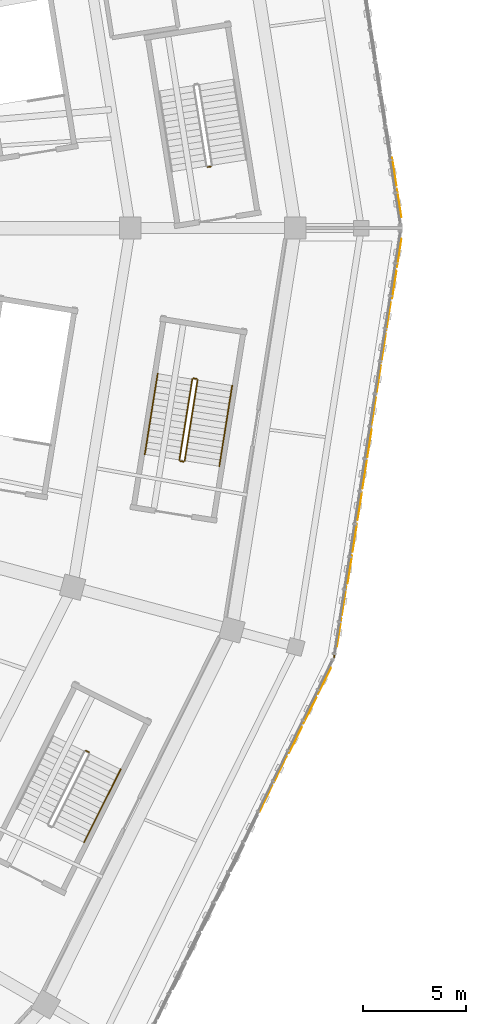
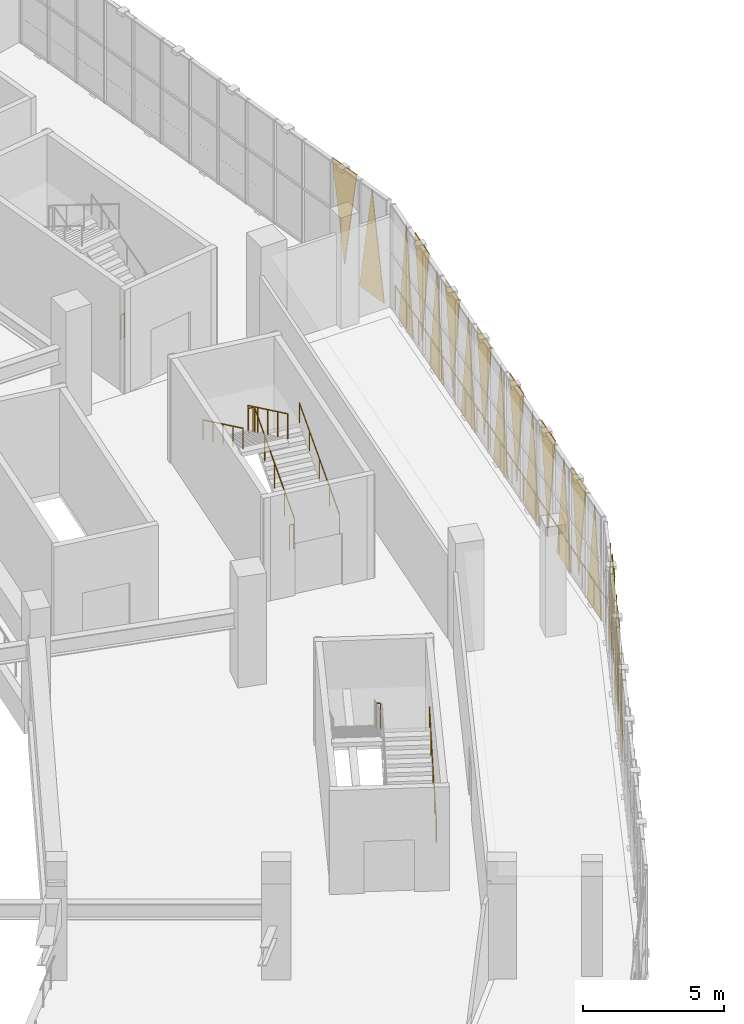
# One storey, part 154 of 179: 20 coverings, 10 railings.
"""IFC4 building model written with IfcOpenShell, lengths in metres."""

from ifc_helpers import new_model, si_unit, direction, frame, origin, origin_2d, place, context, subcontext, project, spatial, polyline, circle, outline, extrude, material, layer, layer_set, type_object, element, save


model = new_model("IFC4")

# Units and contexts
model_context = context("Model", 3, precision=1e-05, world=origin(), true_north=direction((0.0, 1.0)))
body_context = subcontext(model_context, "Body", "Model", "MODEL_VIEW")
ifc_project = project(units=[si_unit("LENGTHUNIT", "METRE"), si_unit("AREAUNIT", "SQUARE_METRE"), si_unit("VOLUMEUNIT", "CUBIC_METRE"), si_unit("PLANEANGLEUNIT", "RADIAN"), si_unit("MASSUNIT", "GRAM", prefix="KILO")], contexts=[model_context])

# Site, building, storey
site_placement = place(None, origin())
site = spatial("IfcSite", under=ifc_project, at=site_placement, CompositionType="ELEMENT")
building_placement = place(site_placement, origin())
building = spatial("IfcBuilding", under=site, at=building_placement, Name="Zevraka Park Crest Stadium", CompositionType="ELEMENT")
storey_placement = place(building_placement, frame((0.0, 0.0, 10.199951171875)))
storey = spatial("IfcBuildingStorey", under=building, at=storey_placement, Name="L02", CompositionType="ELEMENT", Elevation=10.199951171875)

# Coverings
ifc_material_1 = material(Name="Architectural golden-bronze perforated aluminium", Category="aluminium")
ifc_layer = layer(ifc_material_1, 0.034912109375)
ifc_layer_set = layer_set([ifc_layer], Name="Architectural golden-bronze perforated aluminium")
covering_type = type_object("IfcCoveringType", Name="CLD01", PredefinedType="CLADDING", material=ifc_layer_set)
covering_1_placement = place(storey_placement, frame((207.41796875, 92.52392578125, -0.239990234375), z_axis=(-0.988001996222, -0.154441050155, 0.000132241406), x_axis=(-0.154441051505, 0.988002004861, 0.0)))
element("IfcCovering", 1, at=covering_1_placement, inside=storey, type_object=covering_type, Name="Triangular Golden-Bronze Perforated Cladding L02-00-1", PredefinedType="CLADDING", context=body_context, shape_type="SweptSolid", body=[
    extrude(outline(polyline([(0.0, 0.0), (1.392686002386334, 0.0), (0.6962487378560668, -4.560058633622674), (0.0, 0.0)])), origin(), (0.0, 0.0, -1.0), 0.034912109375),
])
covering_2_placement = place(storey_placement, frame((206.964111328125, 95.43408203125, 4.47998046875), z_axis=(-0.988028733421, -0.15426992289, 0.000113247605), x_axis=(0.15426992388, -0.988028739757, 0.0)))
element("IfcCovering", 2, at=covering_2_placement, inside=storey, type_object=covering_type, Name="Triangular Golden-Bronze Perforated Cladding L02-00-2", PredefinedType="CLADDING", context=body_context, shape_type="SweptSolid", body=[
    extrude(outline(polyline([(0.0, 0.0), (1.3926483179408142, 0.0), (0.6962488318591378, -4.2600097929423555), (0.0, 0.0)])), origin(), (0.0, 0.0, -1.0), 0.034912109375),
])
covering_3_placement = place(storey_placement, frame((200.56591796875, 63.676025390625, -0.239990234375), z_axis=(0.89746809511, -0.441079372749, 7.2074213e-05), x_axis=(0.441079373894, 0.897468097441, 0.0)))
element("IfcCovering", 3, at=covering_3_placement, inside=storey, type_object=covering_type, Name="Triangular Golden-Bronze Perforated Cladding L02-22-9", PredefinedType="CLADDING", context=body_context, shape_type="SweptSolid", body=[
    extrude(outline(polyline([(0.0, 0.0), (1.4352442623555979, -6.776263578034403e-21), (0.7174606030867732, 4.56005860559405), (0.0, 0.0)])), origin(), (0.0, 0.0, -1.0), 0.034912109375),
])
covering_4_placement = place(storey_placement, frame((201.902099609375, 66.39501953125, 4.47998046875), z_axis=(0.897335593243, -0.441348860637, 0.000127726581), x_axis=(-0.441348864237, -0.897335600562, 0.0)))
element("IfcCovering", 4, at=covering_4_placement, inside=storey, type_object=covering_type, Name="Triangular Golden-Bronze Perforated Cladding L02-22-10", PredefinedType="CLADDING", context=body_context, shape_type="SweptSolid", body=[
    extrude(outline(polyline([(0.0, 0.0), (1.4343678933426742, -1.3552527156068805e-20), (0.7174604720387123, 4.26000980037407), (0.0, 0.0)])), origin(), (0.0, 0.0, -1.0), 0.034912109375),
])
covering_5_placement = place(storey_placement, frame((201.972900390625, 66.5390625, -0.239990234375), z_axis=(-0.897704327288, 0.44059838926, 1.223648e-05), x_axis=(0.440598389293, 0.897704327355, 0.0)))
element("IfcCovering", 5, at=covering_5_placement, inside=storey, type_object=covering_type, Name="Triangular Golden-Bronze Perforated Cladding L02-22-11", PredefinedType="CLADDING", context=body_context, shape_type="SweptSolid", body=[
    extrude(outline(polyline([(0.0, 0.0), (1.4345946183297689, 8.470329472543003e-22), (0.7174606761957254, -4.560058594091393), (0.0, 0.0)])), origin(), (0.0, 0.0, -1.0), 0.034912109375),
])
covering_6_placement = place(storey_placement, frame((203.30908203125, 69.258056640625, 4.47998046875), z_axis=(-0.897468090022, 0.441079370248, 0.000128584459), x_axis=(-0.441079373894, -0.897468097441, 0.0)))
element("IfcCovering", 6, at=covering_6_placement, inside=storey, type_object=covering_type, Name="Triangular Golden-Bronze Perforated Cladding L02-22-12", PredefinedType="CLADDING", context=body_context, shape_type="SweptSolid", body=[
    extrude(outline(polyline([(0.0, 0.0), (1.4352442623555979, 0.0), (0.7178913446628418, -4.260009800842423), (0.0, 0.0)])), origin(), (0.0, 0.0, -1.0), 0.034912109375),
])
covering_7_placement = place(storey_placement, frame((203.37890625, 69.402099609375, -0.239990234375), z_axis=(-0.897302423981, 0.441416274973, 0.000179183893), x_axis=(0.441416282059, 0.897302438386, 0.0)))
element("IfcCovering", 7, at=covering_7_placement, inside=storey, type_object=covering_type, Name="Triangular Golden-Bronze Perforated Cladding L02-22-13", PredefinedType="CLADDING", context=body_context, shape_type="SweptSolid", body=[
    extrude(outline(polyline([(0.0, 0.0), (1.4341488213161262, 0.0), (0.7167961598302272, -4.560058666954599), (0.0, 0.0)])), origin(), (0.0, 0.0, -1.0), 0.034912109375),
])
covering_8_placement = place(storey_placement, frame((204.327880859375, 71.68896484375, -0.239990234375), z_axis=(0.988002001751, -0.154441051019, 7.9344844e-05), x_axis=(0.154441051505, 0.988002004861, 0.0)))
element("IfcCovering", 8, at=covering_8_placement, inside=storey, type_object=covering_type, Name="Triangular Golden-Bronze Perforated Cladding L02-23-1", PredefinedType="CLADDING", context=body_context, shape_type="SweptSolid", body=[
    extrude(outline(polyline([(0.0, 0.0), (1.392686002386334, 0.0), (0.6962864431909069, 4.560058608104163), (0.0, 0.0)])), origin(), (0.0, 0.0, -1.0), 0.034912109375),
])
covering_9_placement = place(storey_placement, frame((204.781982421875, 74.59912109375, 4.47998046875), z_axis=(0.988006174558, -0.154414305444, 0.000145981007), x_axis=(-0.154414307089, -0.988006185085, 0.0)))
element("IfcCovering", 9, at=covering_9_placement, inside=storey, type_object=covering_type, Name="Triangular Golden-Bronze Perforated Cladding L02-23-2", PredefinedType="CLADDING", context=body_context, shape_type="SweptSolid", body=[
    extrude(outline(polyline([(0.0, 0.0), (1.3929272143236278, 0.0), (0.6964899663719751, 4.260009811016373), (0.0, 0.0)])), origin(), (0.0, 0.0, -1.0), 0.034912109375),
])
covering_10_placement = place(storey_placement, frame((204.806884765625, 74.757080078125, -0.239990234375), z_axis=(-0.988001996222, 0.154441050155, 0.000132241406), x_axis=(0.154441051505, 0.988002004861, 0.0)))
element("IfcCovering", 10, at=covering_10_placement, inside=storey, type_object=covering_type, Name="Triangular Golden-Bronze Perforated Cladding L02-23-3", PredefinedType="CLADDING", context=body_context, shape_type="SweptSolid", body=[
    extrude(outline(polyline([(0.0, 0.0), (1.392686002386334, 0.0), (0.6964372645302674, -4.560058633622674), (0.0, 0.0)])), origin(), (0.0, 0.0, -1.0), 0.034912109375),
])
covering_11_placement = place(storey_placement, frame((205.261962890625, 77.66796875, 4.47998046875), z_axis=(-0.988028733421, 0.15426992289, 0.000113247605), x_axis=(-0.15426992388, -0.988028739757, 0.0)))
element("IfcCovering", 11, at=covering_11_placement, inside=storey, type_object=covering_type, Name="Triangular Golden-Bronze Perforated Cladding L02-23-4", PredefinedType="CLADDING", context=body_context, shape_type="SweptSolid", body=[
    extrude(outline(polyline([(0.0, 0.0), (1.3926483179408142, 0.0), (0.6963994860816766, -4.2600097929423555), (0.0, 0.0)])), origin(), (0.0, 0.0, -1.0), 0.034912109375),
])
covering_12_placement = place(storey_placement, frame((205.285888671875, 77.825927734375, -0.239990234375), z_axis=(-0.988001996222, 0.154441050155, 0.000132241406), x_axis=(0.154441051505, 0.988002004861, 0.0)))
element("IfcCovering", 12, at=covering_12_placement, inside=storey, type_object=covering_type, Name="Triangular Golden-Bronze Perforated Cladding L02-23-5", PredefinedType="CLADDING", context=body_context, shape_type="SweptSolid", body=[
    extrude(outline(polyline([(0.0, 0.0), (1.392686002386334, 0.0), (0.6964372645302674, -4.560058633622674), (0.0, 0.0)])), origin(), (0.0, 0.0, -1.0), 0.034912109375),
])
covering_13_placement = place(storey_placement, frame((205.740966796875, 80.736083984375, 4.47998046875), z_axis=(-0.988002001298, 0.154441050948, 8.4933406e-05), x_axis=(-0.154441051505, -0.988002004861, 0.0)))
element("IfcCovering", 13, at=covering_13_placement, inside=storey, type_object=covering_type, Name="Triangular Golden-Bronze Perforated Cladding L02-23-6", PredefinedType="CLADDING", context=body_context, shape_type="SweptSolid", body=[
    extrude(outline(polyline([(0.0, 0.0), (1.392686002386334, -3.3881317890172014e-21), (0.6963995591954273, -4.260009780990182), (0.0, 0.0)])), origin(), (0.0, 0.0, -1.0), 0.034912109375),
])
covering_14_placement = place(storey_placement, frame((205.76611328125, 80.89404296875, -0.239990234375), z_axis=(-0.988151922623, 0.153478915641, 1.6434192e-05), x_axis=(0.153478915662, 0.988151922756, 0.0)))
element("IfcCovering", 14, at=covering_14_placement, inside=storey, type_object=covering_type, Name="Triangular Golden-Bronze Perforated Cladding L02-23-7", PredefinedType="CLADDING", context=body_context, shape_type="SweptSolid", body=[
    extrude(outline(polyline([(0.0, 0.0), (1.3934629820473974, 0.0), (0.6962489949676653, -4.560058594365796), (0.0, 0.0)])), origin(), (0.0, 0.0, -1.0), 0.034912109375),
])
covering_15_placement = place(storey_placement, frame((206.219970703125, 83.804931640625, 4.47998046875), z_axis=(0.988001994963, -0.154441049958, 0.000141555676), x_axis=(-0.154441051505, -0.988002004861, 0.0)))
element("IfcCovering", 15, at=covering_15_placement, inside=storey, type_object=covering_type, Name="Triangular Golden-Bronze Perforated Cladding L02-23-8", PredefinedType="CLADDING", context=body_context, shape_type="SweptSolid", body=[
    extrude(outline(polyline([(0.0, 0.0), (1.392686002386334, 0.0), (0.6962487378560668, 4.260009808306059), (0.0, 0.0)])), origin(), (0.0, 0.0, -1.0), 0.034912109375),
])
covering_16_placement = place(storey_placement, frame((206.2451171875, 83.962890625, -0.239990234375), z_axis=(0.988032905729, -0.154243206855, 0.000101667427), x_axis=(0.154243207652, 0.988032910835, 0.0)))
element("IfcCovering", 16, at=covering_16_placement, inside=storey, type_object=covering_type, Name="Triangular Golden-Bronze Perforated Cladding L02-23-9", PredefinedType="CLADDING", context=body_context, shape_type="SweptSolid", body=[
    extrude(outline(polyline([(0.0, 0.0), (1.3928895364040654, 0.0), (0.6962488446496103, 4.560058617316989), (0.0, 0.0)])), origin(), (0.0, 0.0, -1.0), 0.034912109375),
])
covering_17_placement = place(storey_placement, frame((206.698974609375, 86.873046875, 4.47998046875), z_axis=(0.988001994963, -0.154441049958, 0.000141555676), x_axis=(-0.154441051505, -0.988002004861, 0.0)))
element("IfcCovering", 17, at=covering_17_placement, inside=storey, type_object=covering_type, Name="Triangular Golden-Bronze Perforated Cladding L02-23-10", PredefinedType="CLADDING", context=body_context, shape_type="SweptSolid", body=[
    extrude(outline(polyline([(0.0, 0.0), (1.392686002386334, 0.0), (0.6962487378560668, 4.260009808306059), (0.0, 0.0)])), origin(), (0.0, 0.0, -1.0), 0.034912109375),
])
covering_18_placement = place(storey_placement, frame((206.72412109375, 87.031982421875, -0.239990234375), z_axis=(0.988028734228, -0.154269923016, 0.000105795988), x_axis=(0.15426992388, 0.988028739757, 0.0)))
element("IfcCovering", 18, at=covering_18_placement, inside=storey, type_object=covering_type, Name="Triangular Golden-Bronze Perforated Cladding L02-23-11", PredefinedType="CLADDING", context=body_context, shape_type="SweptSolid", body=[
    extrude(outline(polyline([(0.0, 0.0), (1.3926483179408142, -3.3881317890172014e-21), (0.6962488318591378, 4.560058619269892), (0.0, 0.0)])), origin(), (0.0, 0.0, -1.0), 0.034912109375),
])
covering_19_placement = place(storey_placement, frame((207.178955078125, 89.94189453125, 4.47998046875), z_axis=(-0.988028733421, 0.15426992289, 0.000113247605), x_axis=(-0.15426992388, -0.988028739757, 0.0)))
element("IfcCovering", 19, at=covering_19_placement, inside=storey, type_object=covering_type, Name="Triangular Golden-Bronze Perforated Cladding L02-23-12", PredefinedType="CLADDING", context=body_context, shape_type="SweptSolid", body=[
    extrude(outline(polyline([(0.0, 0.0), (1.3926483179408142, 0.0), (0.6963994860816766, -4.2600097929423555), (0.0, 0.0)])), origin(), (0.0, 0.0, -1.0), 0.034912109375),
])
covering_20_placement = place(storey_placement, frame((207.202880859375, 90.10009765625, -0.239990234375), z_axis=(-0.988001996222, 0.154441050155, 0.000132241406), x_axis=(0.154441051505, 0.988002004861, 0.0)))
element("IfcCovering", 20, at=covering_20_placement, inside=storey, type_object=covering_type, Name="Triangular Golden-Bronze Perforated Cladding L02-23-13", PredefinedType="CLADDING", context=body_context, shape_type="SweptSolid", body=[
    extrude(outline(polyline([(0.0, 0.0), (1.392686002386334, 0.0), (0.6964372645302674, -4.560058633622674), (0.0, 0.0)])), origin(), (0.0, 0.0, -1.0), 0.034912109375),
])

# Railings
ifc_material_2 = material(Name="Galvanised and bronze-finished steel balustrade", Category="steel")
railing_type_1 = type_object("IfcRailingType", Name="GR01", PredefinedType="GUARDRAIL", material=ifc_material_2)
railing_1_placement = place(storey_placement, frame((207.3740234375, 91.64990234375, 0.0)))
element("IfcRailing", 21, at=railing_1_placement, inside=storey, type_object=railing_type_1, Name="Deck Edge Protection Guardrail GR01 L02-22", PredefinedType="GUARDRAIL", context=body_context, shape_type="SweptSolid", body=[
    extrude(circle(Radius=0.02392578125, at=origin_2d()), frame((0.0, 0.0, 1.076171875), z_axis=(-0.154309279155, -0.988022594057, 0.0), x_axis=(0.988022594057, -0.154309279155, 0.0)), (0.0, 0.0, 1.0), 20.7119140625),
    extrude(circle(Radius=0.02099609375, at=origin_2d()), origin(), (0.0, 0.0, 1.0), 1.052001953125),
    extrude(circle(Radius=0.02099609375, at=origin_2d()), frame((-0.177490234375, -1.136962890625, 0.0)), (0.0, 0.0, 1.0), 1.052001953125),
    extrude(circle(Radius=0.02099609375, at=origin_2d()), frame((-0.355224609375, -2.273681640625, 0.0)), (0.0, 0.0, 1.0), 1.052001953125),
    extrude(circle(Radius=0.02099609375, at=origin_2d()), frame((-0.53271484375, -3.41064453125, 0.0)), (0.0, 0.0, 1.0), 1.052001953125),
    extrude(circle(Radius=0.02099609375, at=origin_2d()), frame((-0.710205078125, -4.547607421875, 0.0)), (0.0, 0.0, 1.0), 1.052001953125),
    extrude(circle(Radius=0.02099609375, at=origin_2d()), frame((-0.8876953125, -5.684326171875, 0.0)), (0.0, 0.0, 1.0), 1.052001953125),
    extrude(circle(Radius=0.02099609375, at=origin_2d()), frame((-1.0654296875, -6.8212890625, 0.0)), (0.0, 0.0, 1.0), 1.052001953125),
    extrude(circle(Radius=0.02099609375, at=origin_2d()), frame((-1.242919921875, -7.958251953125, 0.0)), (0.0, 0.0, 1.0), 1.052001953125),
    extrude(circle(Radius=0.02099609375, at=origin_2d()), frame((-1.42041015625, -9.094970703125, 0.0)), (0.0, 0.0, 1.0), 1.052001953125),
    extrude(circle(Radius=0.02099609375, at=origin_2d()), frame((-1.59814453125, -10.23193359375, 0.0)), (0.0, 0.0, 1.0), 1.052001953125),
    extrude(circle(Radius=0.02099609375, at=origin_2d()), frame((-1.775634765625, -11.368896484375, 0.0)), (0.0, 0.0, 1.0), 1.052001953125),
    extrude(circle(Radius=0.02099609375, at=origin_2d()), frame((-1.953125, -12.505615234375, 0.0)), (0.0, 0.0, 1.0), 1.052001953125),
    extrude(circle(Radius=0.02099609375, at=origin_2d()), frame((-2.130615234375, -13.642578125, 0.0)), (0.0, 0.0, 1.0), 1.052001953125),
    extrude(circle(Radius=0.02099609375, at=origin_2d()), frame((-2.308349609375, -14.779541015625, 0.0)), (0.0, 0.0, 1.0), 1.052001953125),
    extrude(circle(Radius=0.02099609375, at=origin_2d()), frame((-2.48583984375, -15.916259765625, 0.0)), (0.0, 0.0, 1.0), 1.052001953125),
    extrude(circle(Radius=0.02099609375, at=origin_2d()), frame((-2.663330078125, -17.05322265625, 0.0)), (0.0, 0.0, 1.0), 1.052001953125),
    extrude(circle(Radius=0.02099609375, at=origin_2d()), frame((-2.8408203125, -18.190185546875, 0.0)), (0.0, 0.0, 1.0), 1.052001953125),
    extrude(circle(Radius=0.02099609375, at=origin_2d()), frame((-3.0185546875, -19.326904296875, 0.0)), (0.0, 0.0, 1.0), 1.052001953125),
    extrude(circle(Radius=0.02099609375, at=origin_2d()), frame((-3.196044921875, -20.4638671875, 0.0)), (0.0, 0.0, 1.0), 1.052001953125),
])
ifc_material_3 = material(Name="Powder-coated tubular steel stairwell guard", Category="steel")
railing_type_2 = type_object("IfcRailingType", Name="GR03", PredefinedType="GUARDRAIL", material=ifc_material_3)
railing_2_placement = place(storey_placement, frame((198.205078125, 94.982421875, 0.0)))
element("IfcRailing", 22, at=railing_2_placement, inside=storey, type_object=railing_type_2, Name="L02 ST01 stair guard 4", PredefinedType="GUARDRAIL", context=body_context, shape_type="SweptSolid", body=[
    extrude(circle(Radius=0.02392578125, at=origin_2d()), frame((0.0, 0.0, 1.076171875), z_axis=(-0.987564153079, -0.157216549872, 0.0), x_axis=(0.157216549872, -0.987564153079, 0.0)), (0.0, 0.0, 1.0), 0.159912109375),
    extrude(circle(Radius=0.02099609375, at=origin_2d()), origin(), (0.0, 0.0, 1.0), 1.052001953125),
    extrude(circle(Radius=0.02099609375, at=origin_2d()), frame((-0.157958984375, -0.025146484375, 0.0)), (0.0, 0.0, 1.0), 1.052001953125),
])
railing_3_placement = place(storey_placement, frame((192.285888671875, 66.5771484375, 2.400146484375)))
element("IfcRailing", 23, at=railing_3_placement, inside=storey, type_object=railing_type_2, Name="L02 ST23 stair guard 2", PredefinedType="GUARDRAIL", context=body_context, shape_type="SweptSolid", body=[
    extrude(circle(Radius=0.02392578125, at=origin_2d()), frame((0.0, 0.0, 1.076171875), z_axis=(-0.893816245171, 0.44843340628, 0.0), x_axis=(-0.44843340628, -0.893816245171, 0.0)), (0.0, 0.0, 1.0), 0.16015625),
    extrude(circle(Radius=0.02099609375, at=origin_2d()), origin(), (0.0, 0.0, 1.0), 1.052001953125),
    extrude(circle(Radius=0.02099609375, at=origin_2d()), frame((-0.14306640625, 0.07177734375, 0.0)), (0.0, 0.0, 1.0), 1.052001953125),
])
railing_4_placement = place(storey_placement, frame((196.933837890625, 80.714111328125, 0.17138671875)))
element("IfcRailing", 24, at=railing_4_placement, inside=storey, type_object=railing_type_2, Name="L02 ST24 stair guard 1", PredefinedType="GUARDRAIL", context=body_context, shape_type="SweptSolid", body=[
    extrude(circle(Radius=0.02392578125, at=origin_2d()), frame((0.0, 0.0, 1.076171875), z_axis=(0.137083964475, 0.860880855998, 0.489991977954), x_axis=(-0.987557931786, 0.157255624277, 0.0)), (0.0, 0.0, 1.0), 4.548583984375),
    extrude(circle(Radius=0.02099609375, at=origin_2d()), origin(), (0.0, 0.0, 1.0), 1.052001953125),
    extrude(circle(Radius=0.02099609375, at=origin_2d()), frame((0.15576171875, 0.97900390625, 0.55712890625)), (0.0, 0.0, 1.0), 1.052001953125),
    extrude(circle(Radius=0.02099609375, at=origin_2d()), frame((0.311767578125, 1.9580078125, 1.1142578125)), (0.0, 0.0, 1.0), 1.052001953125),
    extrude(circle(Radius=0.02099609375, at=origin_2d()), frame((0.4677734375, 2.936767578125, 1.671630859375)), (0.0, 0.0, 1.0), 1.052001953125),
    extrude(circle(Radius=0.02099609375, at=origin_2d()), frame((0.62353515625, 3.915771484375, 2.228759765625)), (0.0, 0.0, 1.0), 1.052001953125),
])
railing_5_placement = place(storey_placement, frame((197.515869140625, 84.68701171875, 2.400146484375)))
element("IfcRailing", 25, at=railing_5_placement, inside=storey, type_object=railing_type_2, Name="L02 ST24 stair guard 2", PredefinedType="GUARDRAIL", context=body_context, shape_type="SweptSolid", body=[
    extrude(circle(Radius=0.02392578125, at=origin_2d()), frame((0.0, 0.0, 1.076171875), z_axis=(-0.987564153079, 0.157216549872, 0.0), x_axis=(-0.157216549872, -0.987564153079, 0.0)), (0.0, 0.0, 1.0), 0.159912109375),
    extrude(circle(Radius=0.02099609375, at=origin_2d()), origin(), (0.0, 0.0, 1.0), 1.052001953125),
    extrude(circle(Radius=0.02099609375, at=origin_2d()), frame((-0.157958984375, 0.025146484375, 0.0)), (0.0, 0.0, 1.0), 1.052001953125),
])
railing_6_placement = place(storey_placement, frame((197.30078125, 84.670654296875, 2.571533203125)))
element("IfcRailing", 26, at=railing_6_placement, inside=storey, type_object=railing_type_2, Name="L02 ST24 stair guard 3", PredefinedType="GUARDRAIL", context=body_context, shape_type="SweptSolid", body=[
    extrude(circle(Radius=0.02392578125, at=origin_2d()), frame((0.0, 0.0, 1.076171875), z_axis=(-0.13708756972, -0.860903496765, 0.489951188881), x_axis=(0.987557931786, -0.157255624277, 0.0)), (0.0, 0.0, 1.0), 4.54833984375),
    extrude(circle(Radius=0.02099609375, at=origin_2d()), origin(), (0.0, 0.0, 1.0), 1.052001953125),
    extrude(circle(Radius=0.02099609375, at=origin_2d()), frame((-0.15576171875, -0.97900390625, 0.55712890625)), (0.0, 0.0, 1.0), 1.052001953125),
    extrude(circle(Radius=0.02099609375, at=origin_2d()), frame((-0.311767578125, -1.9580078125, 1.1142578125)), (0.0, 0.0, 1.0), 1.052001953125),
    extrude(circle(Radius=0.02099609375, at=origin_2d()), frame((-0.4677734375, -2.936767578125, 1.67138671875)), (0.0, 0.0, 1.0), 1.052001953125),
    extrude(circle(Radius=0.02099609375, at=origin_2d()), frame((-0.62353515625, -3.915771484375, 2.228515625)), (0.0, 0.0, 1.0), 1.052001953125),
])
railing_7_placement = place(storey_placement, frame((196.876708984375, 80.672607421875, 0.0)))
element("IfcRailing", 27, at=railing_7_placement, inside=storey, type_object=railing_type_2, Name="L02 ST24 stair guard 4", PredefinedType="GUARDRAIL", context=body_context, shape_type="SweptSolid", body=[
    extrude(circle(Radius=0.02392578125, at=origin_2d()), frame((0.0, 0.0, 1.076171875), z_axis=(-0.987564153079, 0.157216549872, 0.0), x_axis=(-0.157216549872, -0.987564153079, 0.0)), (0.0, 0.0, 1.0), 0.159912109375),
    extrude(circle(Radius=0.02099609375, at=origin_2d()), origin(), (0.0, 0.0, 1.0), 1.052001953125),
    extrude(circle(Radius=0.02099609375, at=origin_2d()), frame((-0.157958984375, 0.025146484375, 0.0)), (0.0, 0.0, 1.0), 1.052001953125),
])
ifc_material_4 = material(Name="Brushed stainless steel continuous handrail", Category="steel")
railing_type_3 = type_object("IfcRailingType", Name="HR01", PredefinedType="HANDRAIL", material=ifc_material_4)
railing_8_placement = place(storey_placement, frame((192.052001953125, 62.20361328125, 0.17138671875)))
element("IfcRailing", 28, at=railing_8_placement, inside=storey, type_object=railing_type_3, Name="L02 ST23 stair handrail 1", PredefinedType="HANDRAIL", context=body_context, shape_type="SweptSolid", body=[
    extrude(circle(Radius=0.02392578125, at=origin_2d()), frame((0.0, 0.0, 0.8759765625), z_axis=(0.390489200891, 0.779368137037, 0.490003562191), x_axis=(-0.894057440576, 0.447952333346, 0.0)), (0.0, 0.0, 1.0), 4.54833984375),
    extrude(circle(Radius=0.02099609375, at=origin_2d()), origin(), (0.0, 0.0, 1.0), 0.851806640625),
    extrude(circle(Radius=0.02099609375, at=origin_2d()), frame((0.444091796875, 0.88623046875, 0.55712890625)), (0.0, 0.0, 1.0), 0.851806640625),
    extrude(circle(Radius=0.02099609375, at=origin_2d()), frame((0.88818359375, 1.7724609375, 1.1142578125)), (0.0, 0.0, 1.0), 0.851806640625),
    extrude(circle(Radius=0.02099609375, at=origin_2d()), frame((1.33203125, 2.65869140625, 1.671630859375)), (0.0, 0.0, 1.0), 0.851806640625),
    extrude(circle(Radius=0.02099609375, at=origin_2d()), frame((1.776123046875, 3.544921875, 2.228759765625)), (0.0, 0.0, 1.0), 0.851806640625),
])
railing_9_placement = place(storey_placement, frame((198.61279296875, 80.44677734375, 0.17138671875)))
element("IfcRailing", 29, at=railing_9_placement, inside=storey, type_object=railing_type_3, Name="L02 ST24 stair handrail 1", PredefinedType="HANDRAIL", context=body_context, shape_type="SweptSolid", body=[
    extrude(circle(Radius=0.02392578125, at=origin_2d()), frame((0.0, 0.0, 0.8759765625), z_axis=(0.137090298971, 0.860866959629, 0.490014619931), x_axis=(-0.987556409005, 0.157265186968, 0.0)), (0.0, 0.0, 1.0), 4.54833984375),
    extrude(circle(Radius=0.02099609375, at=origin_2d()), origin(), (0.0, 0.0, 1.0), 0.851806640625),
    extrude(circle(Radius=0.02099609375, at=origin_2d()), frame((0.15576171875, 0.97900390625, 0.55712890625)), (0.0, 0.0, 1.0), 0.851806640625),
    extrude(circle(Radius=0.02099609375, at=origin_2d()), frame((0.311767578125, 1.957763671875, 1.1142578125)), (0.0, 0.0, 1.0), 0.851806640625),
    extrude(circle(Radius=0.02099609375, at=origin_2d()), frame((0.4677734375, 2.9365234375, 1.671630859375)), (0.0, 0.0, 1.0), 0.851806640625),
    extrude(circle(Radius=0.02099609375, at=origin_2d()), frame((0.62353515625, 3.91552734375, 2.228759765625)), (0.0, 0.0, 1.0), 0.851806640625),
])
railing_10_placement = place(storey_placement, frame((195.621826171875, 84.93798828125, 2.571533203125)))
element("IfcRailing", 30, at=railing_10_placement, inside=storey, type_object=railing_type_3, Name="L02 ST24 stair handrail 2", PredefinedType="HANDRAIL", context=body_context, shape_type="SweptSolid", body=[
    extrude(circle(Radius=0.02392578125, at=origin_2d()), frame((0.0, 0.0, 0.8759765625), z_axis=(-0.13708756972, -0.860903496765, 0.489951188881), x_axis=(0.987557931786, -0.157255624277, 0.0)), (0.0, 0.0, 1.0), 4.54833984375),
    extrude(circle(Radius=0.02099609375, at=origin_2d()), origin(), (0.0, 0.0, 1.0), 0.851806640625),
    extrude(circle(Radius=0.02099609375, at=origin_2d()), frame((-0.15576171875, -0.97900390625, 0.55712890625)), (0.0, 0.0, 1.0), 0.851806640625),
    extrude(circle(Radius=0.02099609375, at=origin_2d()), frame((-0.311767578125, -1.9580078125, 1.1142578125)), (0.0, 0.0, 1.0), 0.851806640625),
    extrude(circle(Radius=0.02099609375, at=origin_2d()), frame((-0.4677734375, -2.936767578125, 1.67138671875)), (0.0, 0.0, 1.0), 0.851806640625),
    extrude(circle(Radius=0.02099609375, at=origin_2d()), frame((-0.62353515625, -3.915771484375, 2.228515625)), (0.0, 0.0, 1.0), 0.851806640625),
])

save(model, "model.ifc")
